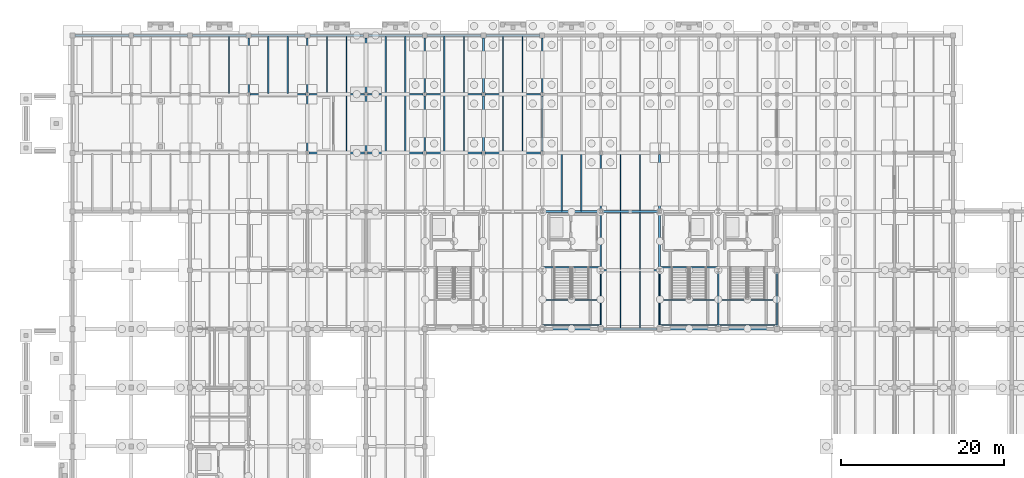
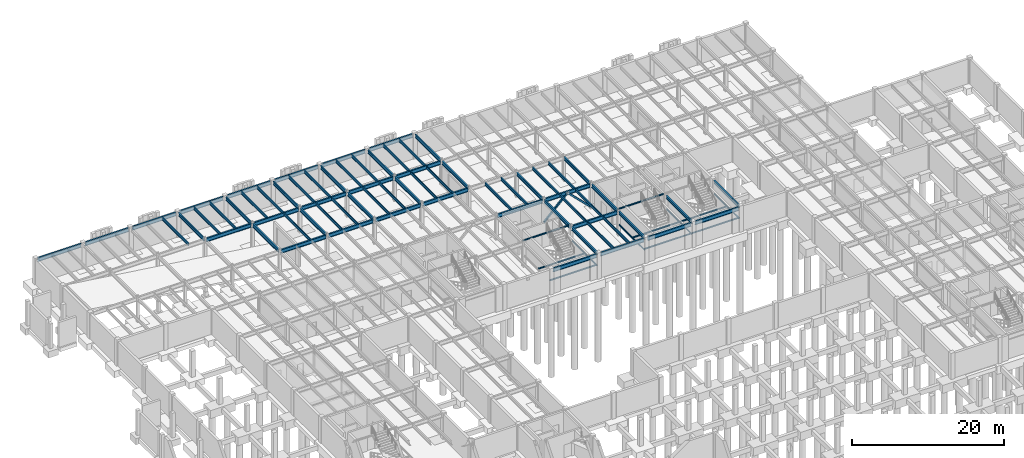
# One storey, part 26 of 46: 81 beams, 2 members.
"""IFC4 building model written with IfcOpenShell, lengths in metres."""

from ifc_helpers import new_model, si_unit, direction, frame, origin, origin_2d, place, context, subcontext, project, spatial, hollow_rectangle, i_section, extrude, material, material_profile, profile_set, type_object, element, save


model = new_model("IFC4")

# Units and contexts
model_context = context("Model", 3, precision=1e-05, world=origin(), true_north=direction((0.0, 1.0)))
body_context = subcontext(model_context, "Body", "Model", "MODEL_VIEW")
ifc_project = project(units=[si_unit("LENGTHUNIT", "METRE"), si_unit("AREAUNIT", "SQUARE_METRE"), si_unit("VOLUMEUNIT", "CUBIC_METRE"), si_unit("PLANEANGLEUNIT", "RADIAN"), si_unit("MASSUNIT", "GRAM", prefix="KILO")], contexts=[model_context])

# Site, building, storey
site_placement = place(None, origin())
site = spatial("IfcSite", under=ifc_project, at=site_placement, CompositionType="ELEMENT")
building_placement = place(site_placement, origin())
building = spatial("IfcBuilding", under=site, at=building_placement, Name="Sillqori Civic Hall", CompositionType="ELEMENT")
storey_placement = place(building_placement, frame((0.0, 0.0, -4.199951171875)))
storey = spatial("IfcBuildingStorey", under=building, at=storey_placement, Name="B01", CompositionType="ELEMENT", Elevation=-4.199951171875)

# Beams
ifc_material_1 = material(Name="Steel ASTM A992", Category="steel")
ifc_material_profile_1 = material_profile(ifc_material_1, i_section(OverallWidth=0.2099609375, OverallDepth=0.532958984375, WebThickness=0.01025390625, FlangeThickness=0.015625, FilletRadius=0.013916015625, at=origin_2d()), Name="W21X62")
ifc_profile_set_1 = profile_set([ifc_material_profile_1], Name="Steel ASTM A992")
beam_type_1 = type_object("IfcBeamType", Name="BM-W21X62", PredefinedType="BEAM", material=ifc_profile_set_1)
beam_1_placement = place(storey_placement, frame((28.800048828125, 108.174560546875, 3.71337890625), z_axis=(0.0, 1.0, 0.0), x_axis=(-1.0, 0.0, 0.0)))
element("IfcBeam", 1, at=beam_1_placement, inside=storey, type_object=beam_type_1, Name="B01 girder Y 4-15", PredefinedType="BEAM", context=body_context, shape_type="SweptSolid", body=[
    extrude(i_section(OverallWidth=0.2099609375, OverallDepth=0.532958984375, WebThickness=0.01025390625, FlangeThickness=0.015625, FilletRadius=0.013916015625, at=origin_2d()), origin(), (0.0, 0.0, 1.0), 6.7314453125),
])
beam_2_placement = place(storey_placement, frame((36.0, 100.97802734375, 3.71337890625), z_axis=(0.0, 1.0, 0.0), x_axis=(-1.0, 0.0, 0.0)))
element("IfcBeam", 2, at=beam_2_placement, inside=storey, type_object=beam_type_1, Name="B01 girder Y 5-14", PredefinedType="BEAM", context=body_context, shape_type="SweptSolid", body=[
    extrude(i_section(OverallWidth=0.2099609375, OverallDepth=0.532958984375, WebThickness=0.01025390625, FlangeThickness=0.015625, FilletRadius=0.013916015625, at=origin_2d()), origin(), (0.0, 0.0, 1.0), 6.843994140625),
])
beam_3_placement = place(storey_placement, frame((36.0, 108.177978515625, 3.71337890625), z_axis=(0.0, 1.0, 0.0), x_axis=(-1.0, 0.0, 0.0)))
element("IfcBeam", 3, at=beam_3_placement, inside=storey, type_object=beam_type_1, Name="B01 girder Y 5-15", PredefinedType="BEAM", context=body_context, shape_type="SweptSolid", body=[
    extrude(i_section(OverallWidth=0.2099609375, OverallDepth=0.532958984375, WebThickness=0.01025390625, FlangeThickness=0.015625, FilletRadius=0.013916015625, at=origin_2d()), origin(), (0.0, 0.0, 1.0), 6.72802734375),
])
beam_4_placement = place(storey_placement, frame((43.199951171875, 100.990966796875, 3.71337890625), z_axis=(0.0, 1.0, 0.0), x_axis=(-1.0, 0.0, 0.0)))
element("IfcBeam", 4, at=beam_4_placement, inside=storey, type_object=beam_type_1, Name="B01 girder Y 6-14", PredefinedType="BEAM", context=body_context, shape_type="SweptSolid", body=[
    extrude(i_section(OverallWidth=0.2099609375, OverallDepth=0.532958984375, WebThickness=0.01025390625, FlangeThickness=0.015625, FilletRadius=0.013916015625, at=origin_2d()), origin(), (0.0, 0.0, 1.0), 6.818115234375),
])
beam_5_placement = place(storey_placement, frame((43.199951171875, 108.19091796875, 3.71337890625), z_axis=(0.0, 1.0, 0.0), x_axis=(-1.0, 0.0, 0.0)))
element("IfcBeam", 5, at=beam_5_placement, inside=storey, type_object=beam_type_1, Name="B01 girder Y 6-15", PredefinedType="BEAM", context=body_context, shape_type="SweptSolid", body=[
    extrude(i_section(OverallWidth=0.2099609375, OverallDepth=0.532958984375, WebThickness=0.01025390625, FlangeThickness=0.015625, FilletRadius=0.013916015625, at=origin_2d()), origin(), (0.0, 0.0, 1.0), 6.715087890625),
])
beam_6_placement = place(storey_placement, frame((50.39990234375, 100.9970703125, 3.71337890625), z_axis=(0.0, 1.0, 0.0), x_axis=(-1.0, 0.0, 0.0)))
element("IfcBeam", 6, at=beam_6_placement, inside=storey, type_object=beam_type_1, Name="B01 girder Y 7-14", PredefinedType="BEAM", context=body_context, shape_type="SweptSolid", body=[
    extrude(i_section(OverallWidth=0.2099609375, OverallDepth=0.532958984375, WebThickness=0.01025390625, FlangeThickness=0.015625, FilletRadius=0.013916015625, at=origin_2d()), origin(), (0.0, 0.0, 1.0), 6.805908203125),
])
beam_7_placement = place(storey_placement, frame((50.39990234375, 108.197021484375, 3.71337890625), z_axis=(0.0, 1.0, 0.0), x_axis=(-1.0, 0.0, 0.0)))
element("IfcBeam", 7, at=beam_7_placement, inside=storey, type_object=beam_type_1, Name="B01 girder Y 7-15", PredefinedType="BEAM", context=body_context, shape_type="SweptSolid", body=[
    extrude(i_section(OverallWidth=0.2099609375, OverallDepth=0.532958984375, WebThickness=0.01025390625, FlangeThickness=0.015625, FilletRadius=0.013916015625, at=origin_2d()), origin(), (0.0, 0.0, 1.0), 6.708984375),
])
beam_8_placement = place(storey_placement, frame((57.60009765625, 100.9970703125, 3.71337890625), z_axis=(0.0, 1.0, 0.0), x_axis=(-1.0, 0.0, 0.0)))
element("IfcBeam", 8, at=beam_8_placement, inside=storey, type_object=beam_type_1, Name="B01 girder Y 8-14", PredefinedType="BEAM", context=body_context, shape_type="SweptSolid", body=[
    extrude(i_section(OverallWidth=0.2099609375, OverallDepth=0.532958984375, WebThickness=0.01025390625, FlangeThickness=0.015625, FilletRadius=0.013916015625, at=origin_2d()), origin(), (0.0, 0.0, 1.0), 6.805908203125),
])
beam_9_placement = place(storey_placement, frame((57.60009765625, 108.197021484375, 3.71337890625), z_axis=(0.0, 1.0, 0.0), x_axis=(-1.0, 0.0, 0.0)))
element("IfcBeam", 9, at=beam_9_placement, inside=storey, type_object=beam_type_1, Name="B01 girder Y 8-15", PredefinedType="BEAM", context=body_context, shape_type="SweptSolid", body=[
    extrude(i_section(OverallWidth=0.2099609375, OverallDepth=0.532958984375, WebThickness=0.01025390625, FlangeThickness=0.015625, FilletRadius=0.013916015625, at=origin_2d()), origin(), (0.0, 0.0, 1.0), 6.708984375),
])
beam_10_placement = place(storey_placement, frame((64.800048828125, 100.9970703125, 3.71337890625), z_axis=(0.0, 1.0, 0.0), x_axis=(-1.0, 0.0, 0.0)))
element("IfcBeam", 10, at=beam_10_placement, inside=storey, type_object=beam_type_1, Name="B01 girder Y 9-14", PredefinedType="BEAM", context=body_context, shape_type="SweptSolid", body=[
    extrude(i_section(OverallWidth=0.2099609375, OverallDepth=0.532958984375, WebThickness=0.01025390625, FlangeThickness=0.015625, FilletRadius=0.013916015625, at=origin_2d()), origin(), (0.0, 0.0, 1.0), 6.805908203125),
])
for number, where, z_axis, x_axis, name in (
    (11, (64.800048828125, 108.197021484375, 3.71337890625), (0.0, 1.0, 0.0), (-1.0, 0.0, 0.0), "B01 girder Y 9-15"),
    (12, (72.0, 79.493896484375, 3.71337890625), (0.0, 1.0, 0.0), (-1.0, 0.0, 0.0), "B01 girder Y 10-11"),
):
    element("IfcBeam", number, at=place(storey_placement, frame(where, z_axis=z_axis, x_axis=x_axis)), inside=storey, type_object=beam_type_1, Name=name, PredefinedType="BEAM", context=body_context, shape_type="SweptSolid", body=[
        extrude(i_section(OverallWidth=0.2099609375, OverallDepth=0.532958984375, WebThickness=0.01025390625, FlangeThickness=0.015625, FilletRadius=0.013916015625, at=origin_2d()), origin(), (0.0, 0.0, 1.0), 6.708984375),
    ])
beam_11_placement = place(storey_placement, frame((72.0, 86.596923828125, 3.71337890625), z_axis=(0.0, 1.0, 0.0), x_axis=(-1.0, 0.0, 0.0)))
element("IfcBeam", 13, at=beam_11_placement, inside=storey, type_object=beam_type_1, Name="B01 girder Y 10-12", PredefinedType="BEAM", context=body_context, shape_type="SweptSolid", body=[
    extrude(i_section(OverallWidth=0.2099609375, OverallDepth=0.532958984375, WebThickness=0.01025390625, FlangeThickness=0.015625, FilletRadius=0.013916015625, at=origin_2d()), origin(), (0.0, 0.0, 1.0), 6.80615234375),
])
beam_12_placement = place(storey_placement, frame((72.0, 93.797119140625, 3.71337890625), z_axis=(0.0, 1.0, 0.0), x_axis=(-1.0, 0.0, 0.0)))
element("IfcBeam", 14, at=beam_12_placement, inside=storey, type_object=beam_type_1, Name="B01 girder Y 10-13", PredefinedType="BEAM", context=body_context, shape_type="SweptSolid", body=[
    extrude(i_section(OverallWidth=0.2099609375, OverallDepth=0.532958984375, WebThickness=0.01025390625, FlangeThickness=0.015625, FilletRadius=0.013916015625, at=origin_2d()), origin(), (0.0, 0.0, 1.0), 6.805908203125),
])
beam_13_placement = place(storey_placement, frame((79.199951171875, 79.493896484375, 3.71337890625), z_axis=(0.0, 1.0, 0.0), x_axis=(-1.0, 0.0, 0.0)))
element("IfcBeam", 15, at=beam_13_placement, inside=storey, type_object=beam_type_1, Name="B01 girder Y 11-11", PredefinedType="BEAM", context=body_context, shape_type="SweptSolid", body=[
    extrude(i_section(OverallWidth=0.2099609375, OverallDepth=0.532958984375, WebThickness=0.01025390625, FlangeThickness=0.015625, FilletRadius=0.013916015625, at=origin_2d()), origin(), (0.0, 0.0, 1.0), 6.708984375),
])
beam_14_placement = place(storey_placement, frame((79.199951171875, 86.596923828125, 3.71337890625), z_axis=(0.0, 1.0, 0.0), x_axis=(-1.0, 0.0, 0.0)))
element("IfcBeam", 16, at=beam_14_placement, inside=storey, type_object=beam_type_1, Name="B01 girder Y 11-12", PredefinedType="BEAM", context=body_context, shape_type="SweptSolid", body=[
    extrude(i_section(OverallWidth=0.2099609375, OverallDepth=0.532958984375, WebThickness=0.01025390625, FlangeThickness=0.015625, FilletRadius=0.013916015625, at=origin_2d()), origin(), (0.0, 0.0, 1.0), 6.80615234375),
])
beam_15_placement = place(storey_placement, frame((79.199951171875, 93.797119140625, 3.71337890625), z_axis=(0.0, 1.0, 0.0), x_axis=(-1.0, 0.0, 0.0)))
element("IfcBeam", 17, at=beam_15_placement, inside=storey, type_object=beam_type_1, Name="B01 girder Y 11-13", PredefinedType="BEAM", context=body_context, shape_type="SweptSolid", body=[
    extrude(i_section(OverallWidth=0.2099609375, OverallDepth=0.532958984375, WebThickness=0.01025390625, FlangeThickness=0.015625, FilletRadius=0.013916015625, at=origin_2d()), origin(), (0.0, 0.0, 1.0), 6.827392578125),
])
beam_16_placement = place(storey_placement, frame((86.39990234375, 79.493896484375, 3.71337890625), z_axis=(0.0, 1.0, 0.0), x_axis=(-1.0, 0.0, 0.0)))
element("IfcBeam", 18, at=beam_16_placement, inside=storey, type_object=beam_type_1, Name="B01 girder Y 12-11", PredefinedType="BEAM", context=body_context, shape_type="SweptSolid", body=[
    extrude(i_section(OverallWidth=0.2099609375, OverallDepth=0.532958984375, WebThickness=0.01025390625, FlangeThickness=0.015625, FilletRadius=0.013916015625, at=origin_2d()), origin(), (0.0, 0.0, 1.0), 6.708984375),
])
beam_17_placement = place(storey_placement, frame((93.60009765625, 79.493896484375, 3.71337890625), z_axis=(0.0, 1.0, 0.0), x_axis=(-1.0, 0.0, 0.0)))
element("IfcBeam", 19, at=beam_17_placement, inside=storey, type_object=beam_type_1, Name="B01 girder Y 13-11", PredefinedType="BEAM", context=body_context, shape_type="SweptSolid", body=[
    extrude(i_section(OverallWidth=0.2099609375, OverallDepth=0.532958984375, WebThickness=0.01025390625, FlangeThickness=0.015625, FilletRadius=0.013916015625, at=origin_2d()), origin(), (0.0, 0.0, 1.0), 6.612060546875),
])
ifc_material_profile_2 = material_profile(ifc_material_1, i_section(OverallWidth=0.22802734375, OverallDepth=0.60205078125, WebThickness=0.010498046875, FlangeThickness=0.014892578125, FilletRadius=0.014892578125, at=origin_2d()), Name="W24X68")
ifc_profile_set_2 = profile_set([ifc_material_profile_2], Name="Steel ASTM A992")
beam_type_2 = type_object("IfcBeamType", Name="BM-W24X68", PredefinedType="BEAM", material=ifc_profile_set_2)
beam_18_placement = place(storey_placement, frame((7.493896484375, 115.199951171875, 3.678955078125), z_axis=(1.0, 0.0, 0.0), x_axis=(0.0, 1.0, 0.0)))
element("IfcBeam", 20, at=beam_18_placement, inside=storey, type_object=beam_type_2, Name="B01 girder X 1-16", PredefinedType="BEAM", context=body_context, shape_type="SweptSolid", body=[
    extrude(i_section(OverallWidth=0.22802734375, OverallDepth=0.60205078125, WebThickness=0.010498046875, FlangeThickness=0.014892578125, FilletRadius=0.014892578125, at=origin_2d()), origin(), (0.0, 0.0, 1.0), 6.612060546875),
])
beam_19_placement = place(storey_placement, frame((14.694091796875, 115.199951171875, 3.678955078125), z_axis=(1.0, 0.0, 0.0), x_axis=(0.0, 1.0, 0.0)))
element("IfcBeam", 21, at=beam_19_placement, inside=storey, type_object=beam_type_2, Name="B01 girder X 2-16", PredefinedType="BEAM", context=body_context, shape_type="SweptSolid", body=[
    extrude(i_section(OverallWidth=0.22802734375, OverallDepth=0.60205078125, WebThickness=0.010498046875, FlangeThickness=0.014892578125, FilletRadius=0.014892578125, at=origin_2d()), origin(), (0.0, 0.0, 1.0), 6.61181640625),
])
beam_20_placement = place(storey_placement, frame((21.89404296875, 115.199951171875, 3.678955078125), z_axis=(1.0, 0.0, 0.0), x_axis=(0.0, 1.0, 0.0)))
element("IfcBeam", 22, at=beam_20_placement, inside=storey, type_object=beam_type_2, Name="B01 girder X 3-16", PredefinedType="BEAM", context=body_context, shape_type="SweptSolid", body=[
    extrude(i_section(OverallWidth=0.22802734375, OverallDepth=0.60205078125, WebThickness=0.010498046875, FlangeThickness=0.014892578125, FilletRadius=0.014892578125, at=origin_2d()), origin(), (0.0, 0.0, 1.0), 6.612060546875),
])
beam_21_placement = place(storey_placement, frame((28.9794921875, 108.0, 3.678955078125), z_axis=(1.0, 0.0, 0.0), x_axis=(0.0, 1.0, 0.0)))
element("IfcBeam", 23, at=beam_21_placement, inside=storey, type_object=beam_type_2, Name="B01 girder X 4-15", PredefinedType="BEAM", context=body_context, shape_type="SweptSolid", body=[
    extrude(i_section(OverallWidth=0.22802734375, OverallDepth=0.60205078125, WebThickness=0.010498046875, FlangeThickness=0.014892578125, FilletRadius=0.014892578125, at=origin_2d()), origin(), (0.0, 0.0, 1.0), 6.840087890625),
])
beam_22_placement = place(storey_placement, frame((29.093994140625, 115.199951171875, 3.678955078125), z_axis=(1.0, 0.0, 0.0), x_axis=(0.0, 1.0, 0.0)))
element("IfcBeam", 24, at=beam_22_placement, inside=storey, type_object=beam_type_2, Name="B01 girder X 4-16", PredefinedType="BEAM", context=body_context, shape_type="SweptSolid", body=[
    extrude(i_section(OverallWidth=0.22802734375, OverallDepth=0.60205078125, WebThickness=0.010498046875, FlangeThickness=0.014892578125, FilletRadius=0.014892578125, at=origin_2d()), origin(), (0.0, 0.0, 1.0), 6.612060546875),
])
for number, where, z_axis, x_axis, name in (
    (25, (36.180419921875, 100.800048828125, 3.678955078125), (1.0, 0.0, 0.0), (0.0, 1.0, 0.0), "B01 girder X 5-14"),
    (26, (36.180419921875, 108.0, 3.678955078125), (1.0, 0.0, 0.0), (0.0, 1.0, 0.0), "B01 girder X 5-15"),
):
    element("IfcBeam", number, at=place(storey_placement, frame(where, z_axis=z_axis, x_axis=x_axis)), inside=storey, type_object=beam_type_2, Name=name, PredefinedType="BEAM", context=body_context, shape_type="SweptSolid", body=[
        extrude(i_section(OverallWidth=0.22802734375, OverallDepth=0.60205078125, WebThickness=0.010498046875, FlangeThickness=0.014892578125, FilletRadius=0.014892578125, at=origin_2d()), origin(), (0.0, 0.0, 1.0), 6.826171875),
    ])
beam_23_placement = place(storey_placement, frame((36.2939453125, 115.199951171875, 3.678955078125), z_axis=(1.0, 0.0, 0.0), x_axis=(0.0, 1.0, 0.0)))
element("IfcBeam", 27, at=beam_23_placement, inside=storey, type_object=beam_type_2, Name="B01 girder X 5-16", PredefinedType="BEAM", context=body_context, shape_type="SweptSolid", body=[
    extrude(i_section(OverallWidth=0.22802734375, OverallDepth=0.60205078125, WebThickness=0.010498046875, FlangeThickness=0.014892578125, FilletRadius=0.014892578125, at=origin_2d()), origin(), (0.0, 0.0, 1.0), 6.612060546875),
])
for number, where, z_axis, x_axis, name in (
    (28, (43.3935546875, 100.800048828125, 3.678955078125), (1.0, 0.0, 0.0), (0.0, 1.0, 0.0), "B01 girder X 6-14"),
    (29, (43.3935546875, 108.0, 3.678955078125), (1.0, 0.0, 0.0), (0.0, 1.0, 0.0), "B01 girder X 6-15"),
):
    element("IfcBeam", number, at=place(storey_placement, frame(where, z_axis=z_axis, x_axis=x_axis)), inside=storey, type_object=beam_type_2, Name=name, PredefinedType="BEAM", context=body_context, shape_type="SweptSolid", body=[
        extrude(i_section(OverallWidth=0.22802734375, OverallDepth=0.60205078125, WebThickness=0.010498046875, FlangeThickness=0.014892578125, FilletRadius=0.014892578125, at=origin_2d()), origin(), (0.0, 0.0, 1.0), 6.810546875),
    ])
beam_24_placement = place(storey_placement, frame((43.493896484375, 115.199951171875, 3.678955078125), z_axis=(1.0, 0.0, 0.0), x_axis=(0.0, 1.0, 0.0)))
element("IfcBeam", 30, at=beam_24_placement, inside=storey, type_object=beam_type_2, Name="B01 girder X 6-16", PredefinedType="BEAM", context=body_context, shape_type="SweptSolid", body=[
    extrude(i_section(OverallWidth=0.22802734375, OverallDepth=0.60205078125, WebThickness=0.010498046875, FlangeThickness=0.014892578125, FilletRadius=0.014892578125, at=origin_2d()), origin(), (0.0, 0.0, 1.0), 6.612060546875),
])
for number, where, z_axis, x_axis, name in (
    (31, (50.595947265625, 100.800048828125, 3.678955078125), (1.0, 0.0, 0.0), (0.0, 1.0, 0.0), "B01 girder X 7-14"),
    (32, (50.595947265625, 108.0, 3.678955078125), (1.0, 0.0, 0.0), (0.0, 1.0, 0.0), "B01 girder X 7-15"),
):
    element("IfcBeam", number, at=place(storey_placement, frame(where, z_axis=z_axis, x_axis=x_axis)), inside=storey, type_object=beam_type_2, Name=name, PredefinedType="BEAM", context=body_context, shape_type="SweptSolid", body=[
        extrude(i_section(OverallWidth=0.22802734375, OverallDepth=0.60205078125, WebThickness=0.010498046875, FlangeThickness=0.014892578125, FilletRadius=0.014892578125, at=origin_2d()), origin(), (0.0, 0.0, 1.0), 6.80810546875),
    ])
beam_25_placement = place(storey_placement, frame((50.694091796875, 115.199951171875, 3.678955078125), z_axis=(1.0, 0.0, 0.0), x_axis=(0.0, 1.0, 0.0)))
element("IfcBeam", 33, at=beam_25_placement, inside=storey, type_object=beam_type_2, Name="B01 girder X 7-16", PredefinedType="BEAM", context=body_context, shape_type="SweptSolid", body=[
    extrude(i_section(OverallWidth=0.22802734375, OverallDepth=0.60205078125, WebThickness=0.010498046875, FlangeThickness=0.014892578125, FilletRadius=0.014892578125, at=origin_2d()), origin(), (0.0, 0.0, 1.0), 6.61181640625),
])
for number, where, z_axis, x_axis, name in (
    (34, (57.7958984375, 100.800048828125, 3.678955078125), (1.0, 0.0, 0.0), (0.0, 1.0, 0.0), "B01 girder X 8-14"),
    (35, (57.7958984375, 108.0, 3.678955078125), (1.0, 0.0, 0.0), (0.0, 1.0, 0.0), "B01 girder X 8-15"),
):
    element("IfcBeam", number, at=place(storey_placement, frame(where, z_axis=z_axis, x_axis=x_axis)), inside=storey, type_object=beam_type_2, Name=name, PredefinedType="BEAM", context=body_context, shape_type="SweptSolid", body=[
        extrude(i_section(OverallWidth=0.22802734375, OverallDepth=0.60205078125, WebThickness=0.010498046875, FlangeThickness=0.014892578125, FilletRadius=0.014892578125, at=origin_2d()), origin(), (0.0, 0.0, 1.0), 6.80810546875),
    ])
for number, where, z_axis, x_axis, name in (
    (36, (57.89404296875, 115.199951171875, 3.678955078125), (1.0, 0.0, 0.0), (0.0, 1.0, 0.0), "B01 girder X 8-16"),
    (37, (65.093994140625, 79.199951171875, 3.678955078125), (1.0, 0.0, 0.0), (0.0, 1.0, 0.0), "B01 girder X 9-11"),
):
    element("IfcBeam", number, at=place(storey_placement, frame(where, z_axis=z_axis, x_axis=x_axis)), inside=storey, type_object=beam_type_2, Name=name, PredefinedType="BEAM", context=body_context, shape_type="SweptSolid", body=[
        extrude(i_section(OverallWidth=0.22802734375, OverallDepth=0.60205078125, WebThickness=0.010498046875, FlangeThickness=0.014892578125, FilletRadius=0.014892578125, at=origin_2d()), origin(), (0.0, 0.0, 1.0), 6.612060546875),
    ])
beam_26_placement = place(storey_placement, frame((64.99609375, 93.60009765625, 3.678955078125), z_axis=(1.0, 0.0, 0.0), x_axis=(0.0, 1.0, 0.0)))
element("IfcBeam", 38, at=beam_26_placement, inside=storey, type_object=beam_type_2, Name="B01 girder X 9-13", PredefinedType="BEAM", context=body_context, shape_type="SweptSolid", body=[
    extrude(i_section(OverallWidth=0.22802734375, OverallDepth=0.60205078125, WebThickness=0.010498046875, FlangeThickness=0.014892578125, FilletRadius=0.014892578125, at=origin_2d()), origin(), (0.0, 0.0, 1.0), 6.807861328125),
])
beam_27_placement = place(storey_placement, frame((72.2939453125, 79.199951171875, 3.678955078125), z_axis=(1.0, 0.0, 0.0), x_axis=(0.0, 1.0, 0.0)))
element("IfcBeam", 39, at=beam_27_placement, inside=storey, type_object=beam_type_2, Name="B01 girder X 10-11", PredefinedType="BEAM", context=body_context, shape_type="SweptSolid", body=[
    extrude(i_section(OverallWidth=0.22802734375, OverallDepth=0.60205078125, WebThickness=0.010498046875, FlangeThickness=0.014892578125, FilletRadius=0.014892578125, at=origin_2d()), origin(), (0.0, 0.0, 1.0), 6.612060546875),
])
for number, where, z_axis, x_axis, name in (
    (40, (72.196044921875, 86.39990234375, 3.678955078125), (1.0, 0.0, 0.0), (0.0, 1.0, 0.0), "B01 girder X 10-12"),
    (41, (72.196044921875, 93.60009765625, 3.678955078125), (1.0, 0.0, 0.0), (0.0, 1.0, 0.0), "B01 girder X 10-13"),
):
    element("IfcBeam", number, at=place(storey_placement, frame(where, z_axis=z_axis, x_axis=x_axis)), inside=storey, type_object=beam_type_2, Name=name, PredefinedType="BEAM", context=body_context, shape_type="SweptSolid", body=[
        extrude(i_section(OverallWidth=0.22802734375, OverallDepth=0.60205078125, WebThickness=0.010498046875, FlangeThickness=0.014892578125, FilletRadius=0.014892578125, at=origin_2d()), origin(), (0.0, 0.0, 1.0), 6.807861328125),
    ])
beam_28_placement = place(storey_placement, frame((79.493896484375, 79.199951171875, 3.678955078125), z_axis=(1.0, 0.0, 0.0), x_axis=(0.0, 1.0, 0.0)))
element("IfcBeam", 42, at=beam_28_placement, inside=storey, type_object=beam_type_2, Name="B01 girder X 11-11", PredefinedType="BEAM", context=body_context, shape_type="SweptSolid", body=[
    extrude(i_section(OverallWidth=0.22802734375, OverallDepth=0.60205078125, WebThickness=0.010498046875, FlangeThickness=0.014892578125, FilletRadius=0.014892578125, at=origin_2d()), origin(), (0.0, 0.0, 1.0), 6.612060546875),
])
beam_29_placement = place(storey_placement, frame((86.694091796875, 79.199951171875, 3.678955078125), z_axis=(1.0, 0.0, 0.0), x_axis=(0.0, 1.0, 0.0)))
element("IfcBeam", 43, at=beam_29_placement, inside=storey, type_object=beam_type_2, Name="B01 girder X 12-11", PredefinedType="BEAM", context=body_context, shape_type="SweptSolid", body=[
    extrude(i_section(OverallWidth=0.22802734375, OverallDepth=0.60205078125, WebThickness=0.010498046875, FlangeThickness=0.014892578125, FilletRadius=0.014892578125, at=origin_2d()), origin(), (0.0, 0.0, 1.0), 6.61181640625),
])

# Members
ifc_material_2 = material(Name="Steel ASTM A500 Grade C", Category="steel")
ifc_material_profile_3 = material_profile(ifc_material_2, hollow_rectangle(XDim=0.25, YDim=0.25, WallThickness=0.011962890625, InnerFilletRadius=0.011962890625, OuterFilletRadius=0.02392578125, at=origin_2d()), Name="HSS250X250X12")
ifc_profile_set_3 = profile_set([ifc_material_profile_3], Name="Steel ASTM A500 Grade C")
member_type = type_object("IfcMemberType", Name="BR-HSS250", PredefinedType="BRACE", material=ifc_profile_set_3)
member_1_placement = place(storey_placement, frame((72.0, 93.60009765625, 0.14990234375), z_axis=(0.712038868151, 0.0, 0.702140050305), x_axis=(0.0, 1.0, 0.0)))
element("IfcMember", 44, at=member_1_placement, inside=storey, type_object=member_type, Name="B01 seismic chevron brace L X13-10", PredefinedType="BRACE", context=body_context, shape_type="SweptSolid", body=[
    extrude(hollow_rectangle(XDim=0.25, YDim=0.25, WallThickness=0.011962890625, InnerFilletRadius=0.011962890625, OuterFilletRadius=0.02392578125, at=origin_2d()), origin(), (0.0, 0.0, 1.0), 5.05615234375),
])
member_2_placement = place(storey_placement, frame((79.199951171875, 93.60009765625, 0.14990234375), z_axis=(-0.712015061443, 0.0, 0.702164191823), x_axis=(0.0, -1.0, 0.0)))
element("IfcMember", 45, at=member_2_placement, inside=storey, type_object=member_type, Name="B01 seismic chevron brace R X13-10", PredefinedType="BRACE", context=body_context, shape_type="SweptSolid", body=[
    extrude(hollow_rectangle(XDim=0.25, YDim=0.25, WallThickness=0.011962890625, InnerFilletRadius=0.011962890625, OuterFilletRadius=0.02392578125, at=origin_2d()), origin(), (0.0, 0.0, 1.0), 5.055908203125),
])

# Beams
ifc_material_profile_4 = material_profile(ifc_material_1, i_section(OverallWidth=0.153076171875, OverallDepth=0.455078125, WebThickness=0.008056640625, FlangeThickness=0.01318359375, FilletRadius=0.012939453125, at=origin_2d()), Name="W18X40")
ifc_profile_set_4 = profile_set([ifc_material_profile_4], Name="Steel ASTM A992")
beam_type_3 = type_object("IfcBeamType", Name="JS-W18X40", PredefinedType="JOIST", material=ifc_profile_set_4)
for number, where, z_axis, x_axis, name in (
    (46, (26.39990234375, 108.094970703125, 3.75244140625), (0.0, 1.0, 0.0), (-1.0, 0.0, 0.0), "B01 composite joist 3-15.2"),
    (47, (31.199951171875, 108.094970703125, 3.75244140625), (0.0, 1.0, 0.0), (-1.0, 0.0, 0.0), "B01 composite joist 4-15.1"),
    (48, (33.60009765625, 108.094970703125, 3.75244140625), (0.0, 1.0, 0.0), (-1.0, 0.0, 0.0), "B01 composite joist 4-15.2"),
    (49, (40.800048828125, 100.89501953125, 3.75244140625), (0.0, 1.0, 0.0), (-1.0, 0.0, 0.0), "B01 composite joist 5-14.2"),
    (50, (38.39990234375, 108.094970703125, 3.75244140625), (0.0, 1.0, 0.0), (-1.0, 0.0, 0.0), "B01 composite joist 5-15.1"),
    (51, (40.800048828125, 108.094970703125, 3.75244140625), (0.0, 1.0, 0.0), (-1.0, 0.0, 0.0), "B01 composite joist 5-15.2"),
    (52, (45.60009765625, 100.89501953125, 3.75244140625), (0.0, 1.0, 0.0), (-1.0, 0.0, 0.0), "B01 composite joist 6-14.1"),
    (53, (48.0, 100.89501953125, 3.75244140625), (0.0, 1.0, 0.0), (-1.0, 0.0, 0.0), "B01 composite joist 6-14.2"),
    (54, (45.60009765625, 108.094970703125, 3.75244140625), (0.0, 1.0, 0.0), (-1.0, 0.0, 0.0), "B01 composite joist 6-15.1"),
    (55, (48.0, 108.094970703125, 3.75244140625), (0.0, 1.0, 0.0), (-1.0, 0.0, 0.0), "B01 composite joist 6-15.2"),
    (56, (52.800048828125, 100.89501953125, 3.75244140625), (0.0, 1.0, 0.0), (-1.0, 0.0, 0.0), "B01 composite joist 7-14.1"),
    (57, (55.199951171875, 100.89501953125, 3.75244140625), (0.0, 1.0, 0.0), (-1.0, 0.0, 0.0), "B01 composite joist 7-14.2"),
    (58, (52.800048828125, 108.094970703125, 3.75244140625), (0.0, 1.0, 0.0), (-1.0, 0.0, 0.0), "B01 composite joist 7-15.1"),
    (59, (55.199951171875, 108.094970703125, 3.75244140625), (0.0, 1.0, 0.0), (-1.0, 0.0, 0.0), "B01 composite joist 7-15.2"),
    (60, (60.0, 100.89501953125, 3.75244140625), (0.0, 1.0, 0.0), (-1.0, 0.0, 0.0), "B01 composite joist 8-14.1"),
    (61, (62.39990234375, 100.89501953125, 3.75244140625), (0.0, 1.0, 0.0), (-1.0, 0.0, 0.0), "B01 composite joist 8-14.2"),
    (62, (60.0, 108.094970703125, 3.75244140625), (0.0, 1.0, 0.0), (-1.0, 0.0, 0.0), "B01 composite joist 8-15.1"),
    (63, (62.39990234375, 108.094970703125, 3.75244140625), (0.0, 1.0, 0.0), (-1.0, 0.0, 0.0), "B01 composite joist 8-15.2"),
    (64, (67.199951171875, 93.695068359375, 3.75244140625), (0.0, 1.0, 0.0), (-1.0, 0.0, 0.0), "B01 composite joist 9-13.1"),
    (65, (69.60009765625, 93.695068359375, 3.75244140625), (0.0, 1.0, 0.0), (-1.0, 0.0, 0.0), "B01 composite joist 9-13.2"),
    (66, (74.39990234375, 79.294921875, 3.75244140625), (0.0, 1.0, 0.0), (-1.0, 0.0, 0.0), "B01 composite joist 10-11.1"),
    (67, (76.800048828125, 79.294921875, 3.75244140625), (0.0, 1.0, 0.0), (-1.0, 0.0, 0.0), "B01 composite joist 10-11.2"),
):
    element("IfcBeam", number, at=place(storey_placement, frame(where, z_axis=z_axis, x_axis=x_axis)), inside=storey, type_object=beam_type_3, Name=name, PredefinedType="JOIST", context=body_context, shape_type="SweptSolid", body=[
        extrude(i_section(OverallWidth=0.153076171875, OverallDepth=0.455078125, WebThickness=0.008056640625, FlangeThickness=0.01318359375, FilletRadius=0.012939453125, at=origin_2d()), origin(), (0.0, 0.0, 1.0), 7.010009765625),
    ])
for number, where, z_axis, x_axis, name in (
    (68, (74.39990234375, 86.4951171875, 3.75244140625), (0.0, 1.0, 0.0), (-1.0, 0.0, 0.0), "B01 composite joist 10-12.1"),
    (69, (76.800048828125, 86.4951171875, 3.75244140625), (0.0, 1.0, 0.0), (-1.0, 0.0, 0.0), "B01 composite joist 10-12.2"),
):
    element("IfcBeam", number, at=place(storey_placement, frame(where, z_axis=z_axis, x_axis=x_axis)), inside=storey, type_object=beam_type_3, Name=name, PredefinedType="JOIST", context=body_context, shape_type="SweptSolid", body=[
        extrude(i_section(OverallWidth=0.153076171875, OverallDepth=0.455078125, WebThickness=0.008056640625, FlangeThickness=0.01318359375, FilletRadius=0.012939453125, at=origin_2d()), origin(), (0.0, 0.0, 1.0), 7.009765625),
    ])
for number, where, z_axis, x_axis, name in (
    (70, (74.39990234375, 93.695068359375, 3.75244140625), (0.0, 1.0, 0.0), (-1.0, 0.0, 0.0), "B01 composite joist 10-13.1"),
    (71, (76.800048828125, 93.695068359375, 3.75244140625), (0.0, 1.0, 0.0), (-1.0, 0.0, 0.0), "B01 composite joist 10-13.2"),
):
    element("IfcBeam", number, at=place(storey_placement, frame(where, z_axis=z_axis, x_axis=x_axis)), inside=storey, type_object=beam_type_3, Name=name, PredefinedType="JOIST", context=body_context, shape_type="SweptSolid", body=[
        extrude(i_section(OverallWidth=0.153076171875, OverallDepth=0.455078125, WebThickness=0.008056640625, FlangeThickness=0.01318359375, FilletRadius=0.012939453125, at=origin_2d()), origin(), (0.0, 0.0, 1.0), 7.010009765625),
    ])
ifc_material_profile_5 = material_profile(ifc_material_1, i_section(OverallWidth=0.133056640625, OverallDepth=0.20703125, WebThickness=0.005859375, FlangeThickness=0.00830078125, FilletRadius=0.008056640625, at=origin_2d()), Name="W8X18")
ifc_profile_set_5 = profile_set([ifc_material_profile_5], Name="Steel ASTM A992")
beam_type_4 = type_object("IfcBeamType", Name="LN-W8X18", PredefinedType="LINTEL", material=ifc_profile_set_5)
beam_30_placement = place(storey_placement, frame((72.0, 79.493896484375, 1.782470703125), z_axis=(0.0, 1.0, 0.0), x_axis=(-1.0, 0.0, 0.0)))
element("IfcBeam", 72, at=beam_30_placement, inside=storey, type_object=beam_type_4, Name="B01 grid 10 stair landing stringer 1", PredefinedType="LINTEL", context=body_context, shape_type="SweptSolid", body=[
    extrude(i_section(OverallWidth=0.133056640625, OverallDepth=0.20703125, WebThickness=0.005859375, FlangeThickness=0.00830078125, FilletRadius=0.008056640625, at=origin_2d()), origin(), (0.0, 0.0, 1.0), 6.708984375),
])
for number, where, z_axis, x_axis, name in (
    (73, (64.85009765625, 79.695068359375, 1.782470703125), (1.0, 0.0, 0.0), (0.0, 1.0, 0.0), "B01 C6 stair half-landing steel ledger 1.1"),
    (74, (64.85009765625, 82.75, 1.782470703125), (1.0, 0.0, 0.0), (0.0, 1.0, 0.0), "B01 C6 stair half-landing steel ledger 1.2"),
    (75, (64.85009765625, 86.77001953125, 3.882568359375), (1.0, 0.0, 0.0), (0.0, 1.0, 0.0), "B01 C6 stair upper arrival steel trimmer"),
):
    element("IfcBeam", number, at=place(storey_placement, frame(where, z_axis=z_axis, x_axis=x_axis)), inside=storey, type_object=beam_type_4, Name=name, PredefinedType="LINTEL", context=body_context, shape_type="SweptSolid", body=[
        extrude(i_section(OverallWidth=0.133056640625, OverallDepth=0.20703125, WebThickness=0.005859375, FlangeThickness=0.00830078125, FilletRadius=0.008056640625, at=origin_2d()), origin(), (0.0, 0.0, 1.0), 7.099853515625),
    ])
for number, where, z_axis, x_axis, name in (
    (76, (79.199951171875, 79.493896484375, 1.782470703125), (0.0, 1.0, 0.0), (-1.0, 0.0, 0.0), "B01 grid 11 stair landing stringer 1"),
    (77, (86.39990234375, 79.493896484375, 1.782470703125), (0.0, 1.0, 0.0), (-1.0, 0.0, 0.0), "B01 grid 12 stair landing stringer 1"),
):
    element("IfcBeam", number, at=place(storey_placement, frame(where, z_axis=z_axis, x_axis=x_axis)), inside=storey, type_object=beam_type_4, Name=name, PredefinedType="LINTEL", context=body_context, shape_type="SweptSolid", body=[
        extrude(i_section(OverallWidth=0.133056640625, OverallDepth=0.20703125, WebThickness=0.005859375, FlangeThickness=0.00830078125, FilletRadius=0.008056640625, at=origin_2d()), origin(), (0.0, 0.0, 1.0), 6.708984375),
    ])
for number, where, z_axis, x_axis, name in (
    (78, (79.25, 79.695068359375, 1.782470703125), (1.0, 0.0, 0.0), (0.0, 1.0, 0.0), "B01 C7 stair half-landing steel ledger 1.1"),
    (79, (79.25, 82.75, 1.782470703125), (1.0, 0.0, 0.0), (0.0, 1.0, 0.0), "B01 C7 stair half-landing steel ledger 1.2"),
    (80, (79.25, 86.77001953125, 3.882568359375), (1.0, 0.0, 0.0), (0.0, 1.0, 0.0), "B01 C7 stair upper arrival steel trimmer"),
):
    element("IfcBeam", number, at=place(storey_placement, frame(where, z_axis=z_axis, x_axis=x_axis)), inside=storey, type_object=beam_type_4, Name=name, PredefinedType="LINTEL", context=body_context, shape_type="SweptSolid", body=[
        extrude(i_section(OverallWidth=0.133056640625, OverallDepth=0.20703125, WebThickness=0.005859375, FlangeThickness=0.00830078125, FilletRadius=0.008056640625, at=origin_2d()), origin(), (0.0, 0.0, 1.0), 7.10009765625),
    ])
beam_31_placement = place(storey_placement, frame((93.60009765625, 79.493896484375, 1.782470703125), z_axis=(0.0, 1.0, 0.0), x_axis=(-1.0, 0.0, 0.0)))
element("IfcBeam", 81, at=beam_31_placement, inside=storey, type_object=beam_type_4, Name="B01 grid 13 stair landing stringer 1", PredefinedType="LINTEL", context=body_context, shape_type="SweptSolid", body=[
    extrude(i_section(OverallWidth=0.133056640625, OverallDepth=0.20703125, WebThickness=0.005859375, FlangeThickness=0.00830078125, FilletRadius=0.008056640625, at=origin_2d()), origin(), (0.0, 0.0, 1.0), 6.612060546875),
])
for number, where, z_axis, x_axis, name in (
    (82, (86.449951171875, 79.695068359375, 1.782470703125), (1.0, 0.0, 0.0), (0.0, 1.0, 0.0), "B01 C8 stair half-landing steel ledger 1.1"),
    (83, (86.449951171875, 82.75, 1.782470703125), (1.0, 0.0, 0.0), (0.0, 1.0, 0.0), "B01 C8 stair half-landing steel ledger 1.2"),
):
    element("IfcBeam", number, at=place(storey_placement, frame(where, z_axis=z_axis, x_axis=x_axis)), inside=storey, type_object=beam_type_4, Name=name, PredefinedType="LINTEL", context=body_context, shape_type="SweptSolid", body=[
        extrude(i_section(OverallWidth=0.133056640625, OverallDepth=0.20703125, WebThickness=0.005859375, FlangeThickness=0.00830078125, FilletRadius=0.008056640625, at=origin_2d()), origin(), (0.0, 0.0, 1.0), 7.10009765625),
    ])

save(model, "model.ifc")
